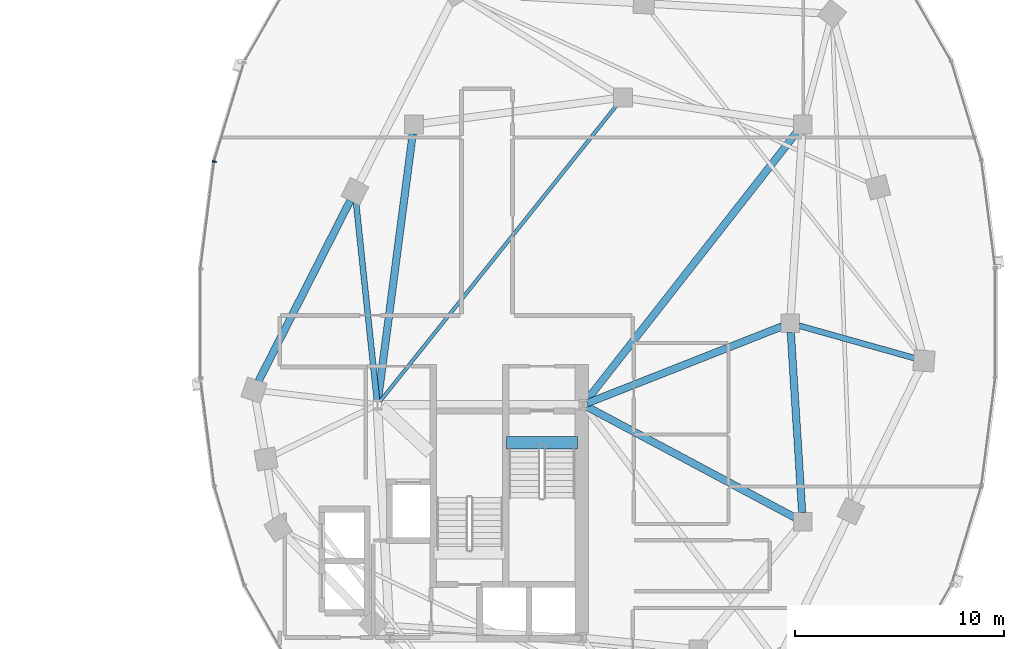
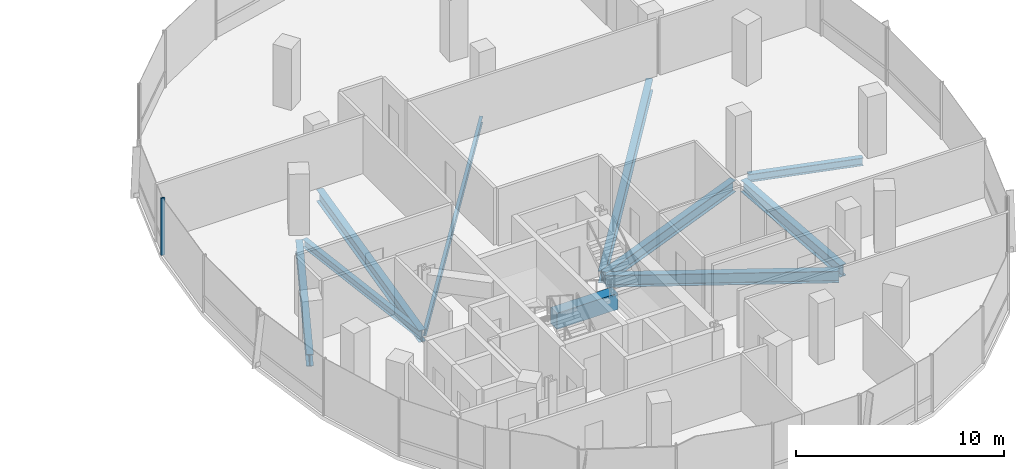
# One storey, part 7 of 22: 10 beams, 1 member, 1 element without a shape of its own.
"""IFC4 building model written with IfcOpenShell, lengths in metres."""

from ifc_helpers import new_model, si_unit, direction, frame, origin, origin_2d, place, context, subcontext, project, spatial, rectangle, i_section, extrude, material, material_profile, profile_set, type_object, element, aggregate, save


model = new_model("IFC4")

# Units and contexts
model_context = context("Model", 3, precision=1e-05, world=origin(), true_north=direction((0.0, 1.0)))
body_context = subcontext(model_context, "Body", "Model", "MODEL_VIEW")
ifc_project = project(units=[si_unit("LENGTHUNIT", "METRE"), si_unit("AREAUNIT", "SQUARE_METRE"), si_unit("VOLUMEUNIT", "CUBIC_METRE"), si_unit("PLANEANGLEUNIT", "RADIAN"), si_unit("MASSUNIT", "GRAM", prefix="KILO"), si_unit("THERMODYNAMICTEMPERATUREUNIT", "KELVIN"), si_unit("POWERUNIT", "WATT")], contexts=[model_context])

# Site, building, storey
site_placement = place(None, origin())
site = spatial("IfcSite", under=ifc_project, at=site_placement, CompositionType="ELEMENT")
building_placement = place(site_placement, origin())
building = spatial("IfcBuilding", under=site, at=building_placement, Name="Cundina Bronze Exchange", CompositionType="ELEMENT")
storey_placement = place(building_placement, frame((0.0, 0.0, 162.0)))
storey = spatial("IfcBuildingStorey", under=building, at=storey_placement, Name="L42", CompositionType="ELEMENT", Elevation=162.0)

# Beams
ifc_material_1 = material(Name="Concrete C60/75", Category="concrete")
ifc_material_profile_1 = material_profile(ifc_material_1, rectangle(XDim=0.60009765625, YDim=0.949951171875, at=origin_2d()), Name="RC600X950", Category="concrete")
ifc_profile_set_1 = profile_set([ifc_material_profile_1], Name="Concrete C60/75")
beam_type_1 = type_object("IfcBeamType", Name="BM-COUP-RC950", PredefinedType="LINTEL", material=ifc_profile_set_1)
beam_1_placement = place(storey_placement, frame((27.6201171875, -5.719970703125, -0.47509765625), z_axis=(1.0, 0.0, 0.0), x_axis=(0.0, 1.0, 0.0)))
element("IfcBeam", 1, at=beam_1_placement, inside=storey, type_object=beam_type_1, Name="L42 Stair E1 Landing Header Beam", PredefinedType="LINTEL", context=body_context, shape_type="SweptSolid", body=[
    extrude(rectangle(XDim=0.60009765625, YDim=0.949951171875, at=origin_2d()), origin(), (0.0, 0.0, 1.0), 3.39990234375),
])
ifc_material_2 = material(Name="Steel ASTM A992 Grade 50", Category="steel")
ifc_material_profile_2 = material_profile(ifc_material_2, i_section(OverallWidth=0.280029296875, OverallDepth=0.462890625, WebThickness=0.0107421875, FlangeThickness=0.017333984375, FilletRadius=0.011962890625, at=origin_2d()), Name="W18X76", Category="steel")
ifc_profile_set_2 = profile_set([ifc_material_profile_2], Name="Steel ASTM A992 Grade 50")
beam_type_2 = type_object("IfcBeamType", Name="BM-FLR-W18A", PredefinedType="BEAM", material=ifc_profile_set_2)
beam_2_placement = place(storey_placement, frame((41.62158203125, -0.11865234375, -0.471435546875), z_axis=(0.962649202648, -0.270751754643, 0.0), x_axis=(0.270751754643, 0.962649202648, 0.0)))
element("IfcBeam", 2, at=beam_2_placement, inside=storey, type_object=beam_type_2, Name="L42 Leg E Chordal Floor Beam 08", PredefinedType="BEAM", context=body_context, shape_type="SweptSolid", body=[
    extrude(i_section(OverallWidth=0.280029296875, OverallDepth=0.462890625, WebThickness=0.0107421875, FlangeThickness=0.017333984375, FilletRadius=0.011962890625, at=origin_2d()), origin(), (0.0, 0.0, 1.0), 5.72216796875),
])
beam_3_placement = place(storey_placement, frame((21.4287109375, -3.697021484375, -0.471435546875), z_axis=(-0.104834931651, 0.9944896365, 0.0), x_axis=(-0.9944896365, -0.104834931651, 0.0)))
element("IfcBeam", 3, at=beam_3_placement, inside=storey, type_object=beam_type_2, Name="L42 Leg E Chordal Floor Beam 13", PredefinedType="BEAM", context=body_context, shape_type="SweptSolid", body=[
    extrude(i_section(OverallWidth=0.280029296875, OverallDepth=0.462890625, WebThickness=0.0107421875, FlangeThickness=0.017333984375, FilletRadius=0.011962890625, at=origin_2d()), origin(), (0.0, 0.0, 1.0), 9.564453125),
])
ifc_material_profile_3 = material_profile(ifc_material_2, i_section(OverallWidth=0.172119140625, OverallDepth=0.35791015625, WebThickness=0.0078125, FlangeThickness=0.01318359375, FilletRadius=0.010009765625, at=origin_2d()), Name="W14X38", Category="steel")
ifc_profile_set_3 = profile_set([ifc_material_profile_3], Name="Steel ASTM A992 Grade 50")
beam_type_3 = type_object("IfcBeamType", Name="BM-JST-W14", PredefinedType="JOIST", material=ifc_profile_set_3)
beam_4_placement = place(storey_placement, frame((21.577392578125, -3.740478515625, -0.4189453125), z_axis=(0.624370675223, 0.781128196854, 0.0), x_axis=(-0.781128196854, 0.624370675223, 0.0)))
element("IfcBeam", 4, at=beam_4_placement, inside=storey, type_object=beam_type_3, Name="L42 E Interior Core-to-Ring Joist 2", PredefinedType="JOIST", context=body_context, shape_type="SweptSolid", body=[
    extrude(i_section(OverallWidth=0.172119140625, OverallDepth=0.35791015625, WebThickness=0.0078125, FlangeThickness=0.01318359375, FilletRadius=0.010009765625, at=origin_2d()), origin(), (0.0, 0.0, 1.0), 18.177001953125),
])
ifc_material_profile_4 = material_profile(ifc_material_2, i_section(OverallWidth=0.35498046875, OverallDepth=0.695068359375, WebThickness=0.015380859375, FlangeThickness=0.02490234375, FilletRadius=0.01806640625, at=origin_2d()), Name="W27X146", Category="steel")
ifc_profile_set_4 = profile_set([ifc_material_profile_4], Name="Steel ASTM A992 Grade 50")
beam_type_4 = type_object("IfcBeamType", Name="BM-RING-W27", PredefinedType="USERDEFINED", material=ifc_profile_set_4)
beam_5_placement = place(storey_placement, frame((41.7724609375, -9.06298828125, -0.58740234375), z_axis=(-0.063046519736, 0.998010589297, 0.0), x_axis=(-0.998010589297, -0.063046519736, 0.0)))
element("IfcBeam", 5, at=beam_5_placement, inside=storey, type_object=beam_type_4, Name="L42 E Inner Structural Ring Girder 03", ObjectType="GIRDER", PredefinedType="USERDEFINED", context=body_context, shape_type="SweptSolid", body=[
    extrude(i_section(OverallWidth=0.35498046875, OverallDepth=0.695068359375, WebThickness=0.015380859375, FlangeThickness=0.02490234375, FilletRadius=0.01806640625, at=origin_2d()), origin(), (0.0, 0.0, 1.0), 8.64306640625),
])
beam_6_placement = place(storey_placement, frame((23.143310546875, 9.065673828125, -0.58740234375), z_axis=(-0.129507030047, -0.991578503785, 0.0), x_axis=(0.991578503785, -0.129507030047, 0.0)))
element("IfcBeam", 6, at=beam_6_placement, inside=storey, type_object=beam_type_4, Name="L42 E Inner Structural Ring Girder 07", ObjectType="GIRDER", PredefinedType="USERDEFINED", context=body_context, shape_type="SweptSolid", body=[
    extrude(i_section(OverallWidth=0.35498046875, OverallDepth=0.695068359375, WebThickness=0.015380859375, FlangeThickness=0.02490234375, FilletRadius=0.01806640625, at=origin_2d()), origin(), (0.0, 0.0, 1.0), 12.871826171875),
])
beam_7_placement = place(storey_placement, frame((31.48974609375, -3.8251953125, -0.58740234375), z_axis=(0.930405617189, 0.36653156413, 0.0), x_axis=(-0.36653156413, 0.930405617189, 0.0)))
element("IfcBeam", 7, at=beam_7_placement, inside=storey, type_object=beam_type_4, Name="L42 E Core-to-Waist Tie Beam 1", ObjectType="GIRDER", PredefinedType="USERDEFINED", context=body_context, shape_type="SweptSolid", body=[
    extrude(i_section(OverallWidth=0.35498046875, OverallDepth=0.695068359375, WebThickness=0.015380859375, FlangeThickness=0.02490234375, FilletRadius=0.01806640625, at=origin_2d()), origin(), (0.0, 0.0, 1.0), 9.99853515625),
])
beam_8_placement = place(storey_placement, frame((31.47998046875, -3.99609375, -0.58740234375), z_axis=(0.88235534237, -0.470583733028, 0.0), x_axis=(0.470583733028, 0.88235534237, 0.0)))
element("IfcBeam", 8, at=beam_8_placement, inside=storey, type_object=beam_type_4, Name="L42 E Core-to-Waist Tie Beam 2", ObjectType="GIRDER", PredefinedType="USERDEFINED", context=body_context, shape_type="SweptSolid", body=[
    extrude(i_section(OverallWidth=0.35498046875, OverallDepth=0.695068359375, WebThickness=0.015380859375, FlangeThickness=0.02490234375, FilletRadius=0.01806640625, at=origin_2d()), origin(), (0.0, 0.0, 1.0), 11.258056640625),
])
beam_9_placement = place(storey_placement, frame((31.42578125, -3.739501953125, -0.58740234375), z_axis=(0.616779109924, 0.787136283982, 0.0), x_axis=(-0.787136283982, 0.616779109924, 0.0)))
element("IfcBeam", 9, at=beam_9_placement, inside=storey, type_object=beam_type_4, Name="L42 E Core-to-Waist Tie Beam 3", ObjectType="GIRDER", PredefinedType="USERDEFINED", context=body_context, shape_type="SweptSolid", body=[
    extrude(i_section(OverallWidth=0.35498046875, OverallDepth=0.695068359375, WebThickness=0.015380859375, FlangeThickness=0.02490234375, FilletRadius=0.01806640625, at=origin_2d()), origin(), (0.0, 0.0, 1.0), 16.3818359375),
])
beam_10_placement = place(storey_placement, frame((20.154052734375, 5.864990234375, -0.58740234375), z_axis=(-0.452834585354, -0.891594548159, 0.0), x_axis=(0.891594548159, -0.452834585354, 0.0)))
element("IfcBeam", 10, at=beam_10_placement, inside=storey, type_object=beam_type_4, Name="L42 E Perimeter Ring Girder 13", ObjectType="GIRDER", PredefinedType="USERDEFINED", context=body_context, shape_type="SweptSolid", body=[
    extrude(i_section(OverallWidth=0.35498046875, OverallDepth=0.695068359375, WebThickness=0.015380859375, FlangeThickness=0.02490234375, FilletRadius=0.01806640625, at=origin_2d()), origin(), (0.0, 0.0, 1.0), 9.67919921875),
])

# Curtain wall, member
ifc_material_3 = material(Name="Anodised Bronze Aluminium 6063-T6", Category="aluminium")
curtain_wall_type = type_object("IfcCurtainWallType", Name="CWS-WST-PIN", PredefinedType="NOTDEFINED", material=ifc_material_3)
curtain_wall_placement = place(storey_placement, origin())
curtain_wall = element("IfcCurtainWall", 11, at=curtain_wall_placement, inside=storey, type_object=curtain_wall_type, Name="L42 CW-04 Curtain Wall Run CWR-L42-E2", PredefinedType="NOTDEFINED")
ifc_material_profile_5 = material_profile(ifc_material_3, rectangle(XDim=0.070068359375, YDim=0.18994140625, at=origin_2d()), Name="AL70X190", Category="aluminium")
ifc_profile_set_5 = profile_set([ifc_material_profile_5], Name="Anodised Bronze Aluminium 6063-T6")
member_type = type_object("IfcMemberType", Name="CWM-MUL-190", PredefinedType="MULLION", material=ifc_profile_set_5)
member_placement = place(storey_placement, frame((13.642822265625, 7.731689453125, 0.0), z_axis=(0.0, 0.0, 1.0), x_axis=(-0.126545236492, -0.991960837494, 0.0)))
member = element("IfcMember", 12, at=member_placement, type_object=member_type, Name="CW-04 Mullion 6", PredefinedType="MULLION", context=body_context, shape_type="SweptSolid", body=[
    extrude(rectangle(XDim=0.070068359375, YDim=0.18994140625, at=origin_2d()), origin(), (0.0, 0.0, 1.0), 3.360107421875),
])
aggregate(curtain_wall, [member])

save(model, "model.ifc")
